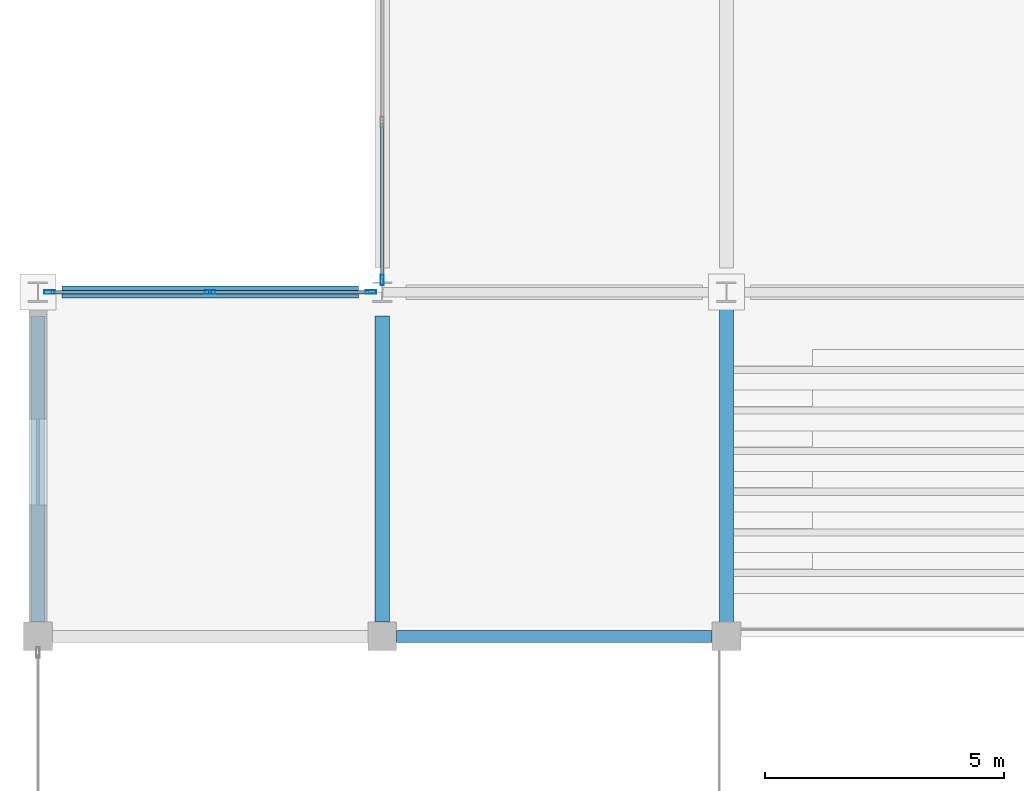
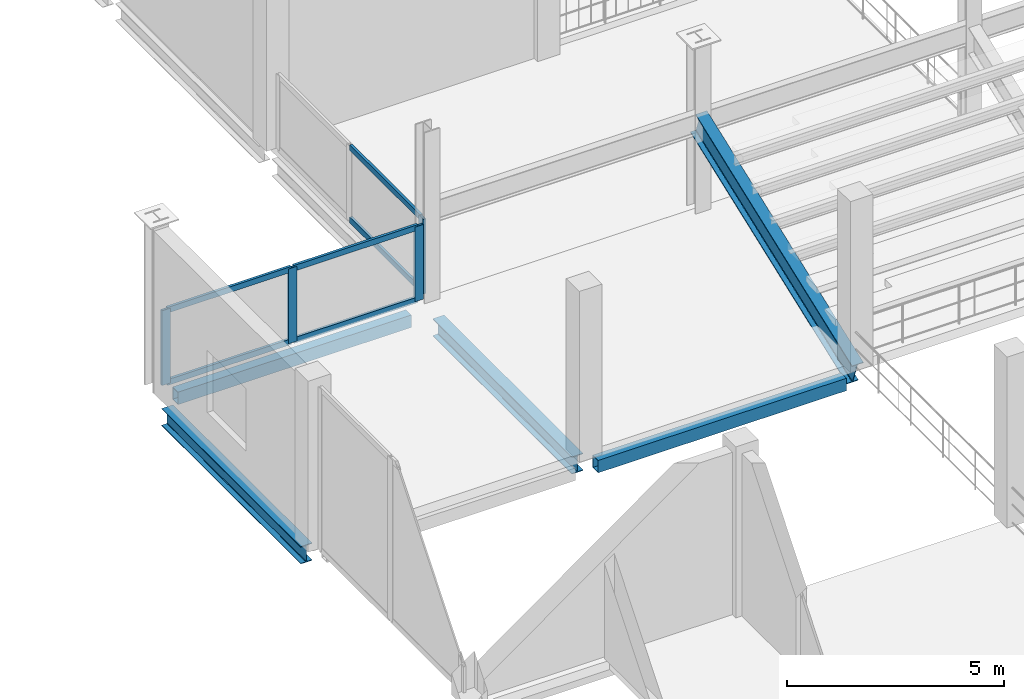
# One storey, part 43 of 120: 10 members, 5 beams, 2 elements without a shape of their own.
"""IFC4 building model written with IfcOpenShell, lengths in metres."""

from ifc_helpers import new_model, si_unit, direction, frame, origin, origin_2d, place, context, subcontext, project, spatial, hollow_rectangle, i_section, extrude, material, material_profile, profile_set, type_object, element, aggregate, save


model = new_model("IFC4")

# Units and contexts
model_context = context("Model", 3, precision=1e-05, world=origin(), true_north=direction((0.0, 1.0)))
body_context = subcontext(model_context, "Body", "Model", "MODEL_VIEW")
ifc_project = project(units=[si_unit("LENGTHUNIT", "METRE"), si_unit("AREAUNIT", "SQUARE_METRE"), si_unit("VOLUMEUNIT", "CUBIC_METRE"), si_unit("PLANEANGLEUNIT", "RADIAN"), si_unit("MASSUNIT", "GRAM", prefix="KILO")], contexts=[model_context])

# Site, building, storey
site_placement = place(None, origin())
site = spatial("IfcSite", under=ifc_project, at=site_placement, CompositionType="ELEMENT")
building_placement = place(site_placement, origin())
building = spatial("IfcBuilding", under=site, at=building_placement, Name="Vesperath Aquatics Centre", CompositionType="ELEMENT")
storey_placement = place(building_placement, frame((0.0, 0.0, 10.199951171875)))
storey = spatial("IfcBuildingStorey", under=building, at=storey_placement, Name="L02", CompositionType="ELEMENT", Elevation=10.199951171875)

# Beams
ifc_material_1 = material(Name="Steel Q355C", Category="steel")
ifc_material_profile_1 = material_profile(ifc_material_1, i_section(OverallWidth=0.300048828125, OverallDepth=0.488037109375, WebThickness=0.010986328125, FlangeThickness=0.01806640625, FilletRadius=0.02587890625, at=origin_2d()), Name="HM 488x300x11x18")
ifc_profile_set_1 = profile_set([ifc_material_profile_1], Name="Steel Q355C")
beam_type_1 = type_object("IfcBeamType", Name="BM-G10", PredefinedType="BEAM", material=ifc_profile_set_1)
for number, where, z_axis, x_axis, name in (
    (1, (0.0, 79.5, -0.50390625), (0.0, 1.0, 0.0), (-1.0, 0.0, 0.0), "Floor Girder B10 L02 1 M-N"),
    (2, (7.199951171875, 79.5, -0.50390625), (0.0, 1.0, 0.0), (-1.0, 0.0, 0.0), "Floor Girder B10 L02 2 M-N"),
):
    element("IfcBeam", number, at=place(storey_placement, frame(where, z_axis=z_axis, x_axis=x_axis)), inside=storey, type_object=beam_type_1, Name=name, PredefinedType="BEAM", context=body_context, shape_type="SweptSolid", body=[
        extrude(i_section(OverallWidth=0.300048828125, OverallDepth=0.488037109375, WebThickness=0.010986328125, FlangeThickness=0.01806640625, FilletRadius=0.02587890625, at=origin_2d()), origin(), (0.0, 0.0, 1.0), 6.39990234375),
    ])
ifc_material_2 = material(Name="Steel Q355D", Category="steel")
ifc_material_profile_2 = material_profile(ifc_material_2, i_section(OverallWidth=0.300048828125, OverallDepth=0.699951171875, WebThickness=0.012939453125, FlangeThickness=0.02392578125, FilletRadius=0.028076171875, at=origin_2d()), Name="HN 700x300x13x24")
ifc_profile_set_2 = profile_set([ifc_material_profile_2], Name="Steel Q355D")
beam_type_2 = type_object("IfcBeamType", Name="BM-RK02", PredefinedType="USERDEFINED", material=ifc_profile_set_2)
beam_1_placement = place(storey_placement, frame((14.39990234375, 79.199951171875, -0.300048828125), z_axis=(0.0, 0.936320043878, 0.351147797134), x_axis=(-1.0, 0.0, 0.0)))
element("IfcBeam", 3, at=beam_1_placement, inside=storey, type_object=beam_type_2, Name="Upper Stand RAKER Beam RK02 North 3", ObjectType="RAKER", PredefinedType="USERDEFINED", context=body_context, shape_type="SweptSolid", body=[
    extrude(i_section(OverallWidth=0.300048828125, OverallDepth=0.699951171875, WebThickness=0.012939453125, FlangeThickness=0.02392578125, FilletRadius=0.028076171875, at=origin_2d()), origin(), (0.0, 0.0, 1.0), 7.689697265625),
])
ifc_material_profile_3 = material_profile(ifc_material_2, hollow_rectangle(XDim=0.25, YDim=0.35009765625, WallThickness=0.011962890625, at=origin_2d()), Name="RHS 350x250x12")
ifc_profile_set_3 = profile_set([ifc_material_profile_3], Name="Steel Q355D")
beam_type_3 = type_object("IfcBeamType", Name="BM-SP02", PredefinedType="SPANDREL", material=ifc_profile_set_3)
beam_2_placement = place(storey_placement, frame((0.5, 86.39990234375, -0.43505859375), z_axis=(1.0, 0.0, 0.0), x_axis=(0.0, 1.0, 0.0)))
element("IfcBeam", 4, at=beam_2_placement, inside=storey, type_object=beam_type_3, Name="Floor Girder SP02 L02 N 1-2", PredefinedType="SPANDREL", context=body_context, shape_type="SweptSolid", body=[
    extrude(hollow_rectangle(XDim=0.25, YDim=0.35009765625, WallThickness=0.011962890625, at=origin_2d()), origin(), (0.0, 0.0, 1.0), 6.199951171875),
])
beam_3_placement = place(storey_placement, frame((7.5, 79.199951171875, -0.43505859375), z_axis=(1.0, 0.0, 0.0), x_axis=(0.0, 1.0, 0.0)))
element("IfcBeam", 5, at=beam_3_placement, inside=storey, type_object=beam_type_3, Name="Floor Girder SP02 L02 M 2-3", PredefinedType="SPANDREL", context=body_context, shape_type="SweptSolid", body=[
    extrude(hollow_rectangle(XDim=0.25, YDim=0.35009765625, WallThickness=0.011962890625, at=origin_2d()), origin(), (0.0, 0.0, 1.0), 6.60009765625),
])

# Curtain wall, members
ifc_material_3 = material(Name="Thermally broken anodised bronze aluminium curtain wall", Category="aluminium")
curtain_wall_type = type_object("IfcCurtainWallType", Name="CW-06", PredefinedType="NOTDEFINED", material=ifc_material_3)
curtain_wall_1_placement = place(storey_placement, origin())
curtain_wall_1 = element("IfcCurtainWall", 6, at=curtain_wall_1_placement, inside=storey, type_object=curtain_wall_type, Name="Facade Curtain Wall CW06 L02_N_00_12", PredefinedType="NOTDEFINED")
ifc_material_4 = material(Name="Thermally broken anodised aluminium", Category="aluminium")
ifc_material_profile_4 = material_profile(ifc_material_4, hollow_rectangle(XDim=0.070068359375, YDim=0.219970703125, WallThickness=0.0048828125, at=origin_2d()), Name="CWM 70x220x5")
ifc_profile_set_4 = profile_set([ifc_material_profile_4], Name="Thermally broken anodised aluminium")
member_type_1 = type_object("IfcMemberType", Name="MB-CWM2", PredefinedType="MULLION", material=ifc_profile_set_4)
member_1_placement = place(storey_placement, frame((0.238525390625, 86.39990234375, 0.0), z_axis=(0.0, 0.0, 1.0), x_axis=(0.0, 1.0, 0.0)))
member_1 = element("IfcMember", 7, at=member_1_placement, type_object=member_type_1, Name="CW06 mullion 1", PredefinedType="MULLION", context=body_context, shape_type="SweptSolid", body=[
    extrude(hollow_rectangle(XDim=0.070068359375, YDim=0.219970703125, WallThickness=0.0048828125, at=origin_2d()), origin(), (0.0, 0.0, 1.0), 2.10009765625),
])
member_2_placement = place(storey_placement, frame((3.60009765625, 86.39990234375, 0.0), z_axis=(0.0, 0.0, 1.0), x_axis=(0.0, 1.0, 0.0)))
member_2 = element("IfcMember", 8, at=member_2_placement, type_object=member_type_1, Name="CW06 mullion 2", PredefinedType="MULLION", context=body_context, shape_type="SweptSolid", body=[
    extrude(hollow_rectangle(XDim=0.070068359375, YDim=0.219970703125, WallThickness=0.0048828125, at=origin_2d()), origin(), (0.0, 0.0, 1.0), 2.10009765625),
])
member_3_placement = place(storey_placement, frame((6.96142578125, 86.39990234375, 0.0), z_axis=(0.0, 0.0, 1.0), x_axis=(0.0, 1.0, 0.0)))
member_3 = element("IfcMember", 9, at=member_3_placement, type_object=member_type_1, Name="CW06 mullion 3", PredefinedType="MULLION", context=body_context, shape_type="SweptSolid", body=[
    extrude(hollow_rectangle(XDim=0.070068359375, YDim=0.219970703125, WallThickness=0.0048828125, at=origin_2d()), origin(), (0.0, 0.0, 1.0), 2.10009765625),
])

# Curtain wall, member
curtain_wall_2_placement = place(storey_placement, origin())
curtain_wall_2 = element("IfcCurtainWall", 10, at=curtain_wall_2_placement, inside=storey, type_object=curtain_wall_type, Name="Facade Curtain Wall CW06 L02_W_01_12", PredefinedType="NOTDEFINED")
member_4_placement = place(storey_placement, frame((7.199951171875, 86.64892578125, 0.0), z_axis=(0.0, 0.0, 1.0), x_axis=(-1.0, 0.0, 0.0)))
member_4 = element("IfcMember", 11, at=member_4_placement, type_object=member_type_1, Name="CW06 mullion 1", PredefinedType="MULLION", context=body_context, shape_type="SweptSolid", body=[
    extrude(hollow_rectangle(XDim=0.070068359375, YDim=0.219970703125, WallThickness=0.0048828125, at=origin_2d()), origin(), (0.0, 0.0, 1.0), 2.10009765625),
])

# Member
ifc_material_profile_5 = material_profile(ifc_material_4, hollow_rectangle(XDim=0.070068359375, YDim=0.159912109375, WallThickness=0.0048828125, at=origin_2d()), Name="CWT 70x160x5")
ifc_profile_set_5 = profile_set([ifc_material_profile_5], Name="Thermally broken anodised aluminium")
member_type_2 = type_object("IfcMemberType", Name="MB-CWT2", PredefinedType="USERDEFINED", material=ifc_profile_set_5)
member_5_placement = place(storey_placement, frame((0.2734375, 86.39990234375, 0.03515625), z_axis=(1.0, 0.0, 0.0), x_axis=(0.0, 1.0, 0.0)))
member_5 = element("IfcMember", 12, at=member_5_placement, type_object=member_type_2, Name="CW06 transom 1.1", ObjectType="TRANSOM", PredefinedType="USERDEFINED", context=body_context, shape_type="SweptSolid", body=[
    extrude(hollow_rectangle(XDim=0.070068359375, YDim=0.159912109375, WallThickness=0.0048828125, at=origin_2d()), origin(), (0.0, 0.0, 1.0), 3.29150390625),
])

member_6_placement = place(storey_placement, frame((0.2734375, 86.39990234375, 2.06494140625), z_axis=(1.0, 0.0, 0.0), x_axis=(0.0, 1.0, 0.0)))
member_6 = element("IfcMember", 13, at=member_6_placement, type_object=member_type_2, Name="CW06 transom 1.2", ObjectType="TRANSOM", PredefinedType="USERDEFINED", context=body_context, shape_type="SweptSolid", body=[
    extrude(hollow_rectangle(XDim=0.070068359375, YDim=0.159912109375, WallThickness=0.0048828125, at=origin_2d()), origin(), (0.0, 0.0, 1.0), 3.29150390625),
])

member_7_placement = place(storey_placement, frame((3.635009765625, 86.39990234375, 0.03515625), z_axis=(1.0, 0.0, 0.0), x_axis=(0.0, 1.0, 0.0)))
member_7 = element("IfcMember", 14, at=member_7_placement, type_object=member_type_2, Name="CW06 transom 2.1", ObjectType="TRANSOM", PredefinedType="USERDEFINED", context=body_context, shape_type="SweptSolid", body=[
    extrude(hollow_rectangle(XDim=0.070068359375, YDim=0.159912109375, WallThickness=0.0048828125, at=origin_2d()), origin(), (0.0, 0.0, 1.0), 3.29150390625),
])

member_8_placement = place(storey_placement, frame((3.635009765625, 86.39990234375, 2.06494140625), z_axis=(1.0, 0.0, 0.0), x_axis=(0.0, 1.0, 0.0)))
member_8 = element("IfcMember", 15, at=member_8_placement, type_object=member_type_2, Name="CW06 transom 2.2", ObjectType="TRANSOM", PredefinedType="USERDEFINED", context=body_context, shape_type="SweptSolid", body=[
    extrude(hollow_rectangle(XDim=0.070068359375, YDim=0.159912109375, WallThickness=0.0048828125, at=origin_2d()), origin(), (0.0, 0.0, 1.0), 3.29150390625),
])

aggregate(curtain_wall_1, [member_1, member_2, member_3, member_5, member_6, member_7, member_8])

member_9_placement = place(storey_placement, frame((7.199951171875, 86.68408203125, 0.03515625), z_axis=(0.0, 1.0, 0.0), x_axis=(-1.0, 0.0, 0.0)))
member_9 = element("IfcMember", 16, at=member_9_placement, type_object=member_type_2, Name="CW06 transom 1.1", ObjectType="TRANSOM", PredefinedType="USERDEFINED", context=body_context, shape_type="SweptSolid", body=[
    extrude(hollow_rectangle(XDim=0.070068359375, YDim=0.159912109375, WallThickness=0.0048828125, at=origin_2d()), origin(), (0.0, 0.0, 1.0), 3.238037109375),
])

member_10_placement = place(storey_placement, frame((7.199951171875, 86.68408203125, 2.06494140625), z_axis=(0.0, 1.0, 0.0), x_axis=(-1.0, 0.0, 0.0)))
member_10 = element("IfcMember", 17, at=member_10_placement, type_object=member_type_2, Name="CW06 transom 1.2", ObjectType="TRANSOM", PredefinedType="USERDEFINED", context=body_context, shape_type="SweptSolid", body=[
    extrude(hollow_rectangle(XDim=0.070068359375, YDim=0.159912109375, WallThickness=0.0048828125, at=origin_2d()), origin(), (0.0, 0.0, 1.0), 3.238037109375),
])

aggregate(curtain_wall_2, [member_4, member_9, member_10])

save(model, "model.ifc")
